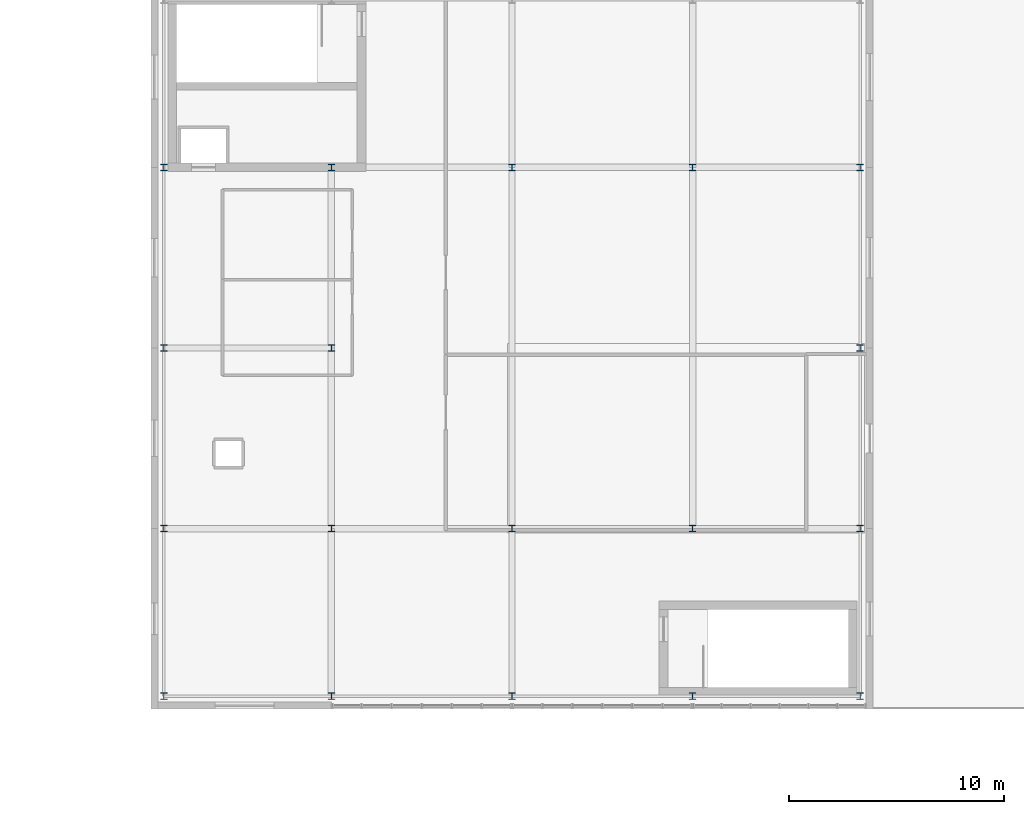
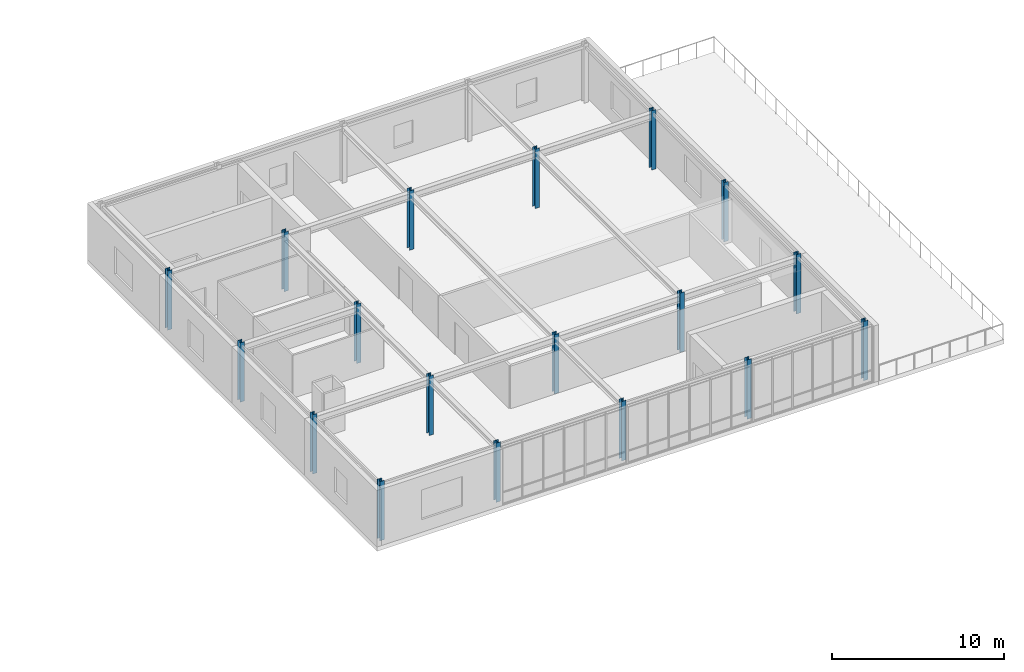
# One storey, part 15 of 127: 18 columns.
"""IFC4 building model written with IfcOpenShell, lengths in metres."""

from ifc_helpers import new_model, si_unit, direction, frame, origin, origin_2d, place, context, subcontext, project, spatial, i_section, extrude, material, material_profile, profile_set, type_object, element, save


model = new_model("IFC4")

# Units and contexts
model_context = context("Model", 3, precision=1e-05, world=origin(), true_north=direction((0.0, 1.0)))
body_context = subcontext(model_context, "Body", "Model", "MODEL_VIEW")
ifc_project = project(units=[si_unit("LENGTHUNIT", "METRE"), si_unit("AREAUNIT", "SQUARE_METRE"), si_unit("VOLUMEUNIT", "CUBIC_METRE"), si_unit("PLANEANGLEUNIT", "RADIAN"), si_unit("MASSUNIT", "GRAM", prefix="KILO")], contexts=[model_context])

# Site, building, storey
site_placement = place(None, origin())
site = spatial("IfcSite", under=ifc_project, at=site_placement, CompositionType="ELEMENT")
building_placement = place(site_placement, origin())
building = spatial("IfcBuilding", under=site, at=building_placement, Name="Zayran Congress Hotel", CompositionType="ELEMENT")
storey_placement = place(building_placement, frame((0.0, 0.0, 10.800048828125)))
storey = spatial("IfcBuildingStorey", under=building, at=storey_placement, Name="L02", CompositionType="ELEMENT", Elevation=10.800048828125)

# Columns
ifc_material = material(Name="Steel S355", Category="steel")
ifc_material_profile = material_profile(ifc_material, i_section(OverallWidth=0.300048828125, OverallDepth=0.300048828125, WebThickness=0.010986328125, FlangeThickness=0.01904296875, at=origin_2d()), Name="HEB 300")
ifc_profile_set = profile_set([ifc_material_profile], Name="Steel S355")
column_type = type_object("IfcColumnType", Name="TP-CL-08", PredefinedType="COLUMN", material=ifc_profile_set)
for number, where, z_axis, x_axis, name in (
    (1, (151.800048828125, 9.39990234375, 0.0), (0.0, 0.0, 1.0), (1.0, 0.0, 0.0), "COL-V3-L02-0680"),
    (2, (151.800048828125, 17.199951171875, 0.0), (0.0, 0.0, 1.0), (1.0, 0.0, 0.0), "COL-V3-L02-0681"),
    (3, (151.800048828125, 25.60009765625, 0.0), (0.0, 0.0, 1.0), (1.0, 0.0, 0.0), "COL-V3-L02-0682"),
    (4, (151.800048828125, 34.0, 0.0), (0.0, 0.0, 1.0), (1.0, 0.0, 0.0), "COL-V3-L02-0683"),
    (5, (159.60009765625, 9.39990234375, 0.0), (0.0, 0.0, 1.0), (1.0, 0.0, 0.0), "COL-V3-L02-0685"),
    (6, (159.60009765625, 17.199951171875, 0.0), (0.0, 0.0, 1.0), (1.0, 0.0, 0.0), "COL-V3-L02-0686"),
    (7, (159.60009765625, 25.60009765625, 0.0), (0.0, 0.0, 1.0), (1.0, 0.0, 0.0), "COL-V3-L02-0687"),
    (8, (159.60009765625, 34.0, 0.0), (0.0, 0.0, 1.0), (1.0, 0.0, 0.0), "COL-V3-L02-0688"),
    (9, (168.0, 9.39990234375, 0.0), (0.0, 0.0, 1.0), (1.0, 0.0, 0.0), "COL-V3-L02-0690"),
    (10, (168.0, 17.199951171875, 0.0), (0.0, 0.0, 1.0), (1.0, 0.0, 0.0), "COL-V3-L02-0691"),
    (11, (168.0, 34.0, 0.0), (0.0, 0.0, 1.0), (1.0, 0.0, 0.0), "COL-V3-L02-0692"),
    (12, (176.39990234375, 9.39990234375, 0.0), (0.0, 0.0, 1.0), (1.0, 0.0, 0.0), "COL-V3-L02-0694"),
    (13, (176.39990234375, 17.199951171875, 0.0), (0.0, 0.0, 1.0), (1.0, 0.0, 0.0), "COL-V3-L02-0695"),
    (14, (176.39990234375, 34.0, 0.0), (0.0, 0.0, 1.0), (1.0, 0.0, 0.0), "COL-V3-L02-0696"),
    (15, (184.199951171875, 9.39990234375, 0.0), (0.0, 0.0, 1.0), (1.0, 0.0, 0.0), "COL-V3-L02-0698"),
    (16, (184.199951171875, 17.199951171875, 0.0), (0.0, 0.0, 1.0), (1.0, 0.0, 0.0), "COL-V3-L02-0699"),
    (17, (184.199951171875, 25.60009765625, 0.0), (0.0, 0.0, 1.0), (1.0, 0.0, 0.0), "COL-V3-L02-0700"),
    (18, (184.199951171875, 34.0, 0.0), (0.0, 0.0, 1.0), (1.0, 0.0, 0.0), "COL-V3-L02-0701"),
):
    element("IfcColumn", number, at=place(storey_placement, frame(where, z_axis=z_axis, x_axis=x_axis)), inside=storey, type_object=column_type, Name=name, PredefinedType="COLUMN", context=body_context, shape_type="SweptSolid", body=[
        extrude(i_section(OverallWidth=0.300048828125, OverallDepth=0.300048828125, WebThickness=0.010986328125, FlangeThickness=0.01904296875, at=origin_2d()), origin(), (0.0, 0.0, 1.0), 4.199951171875),
    ])

save(model, "model.ifc")
